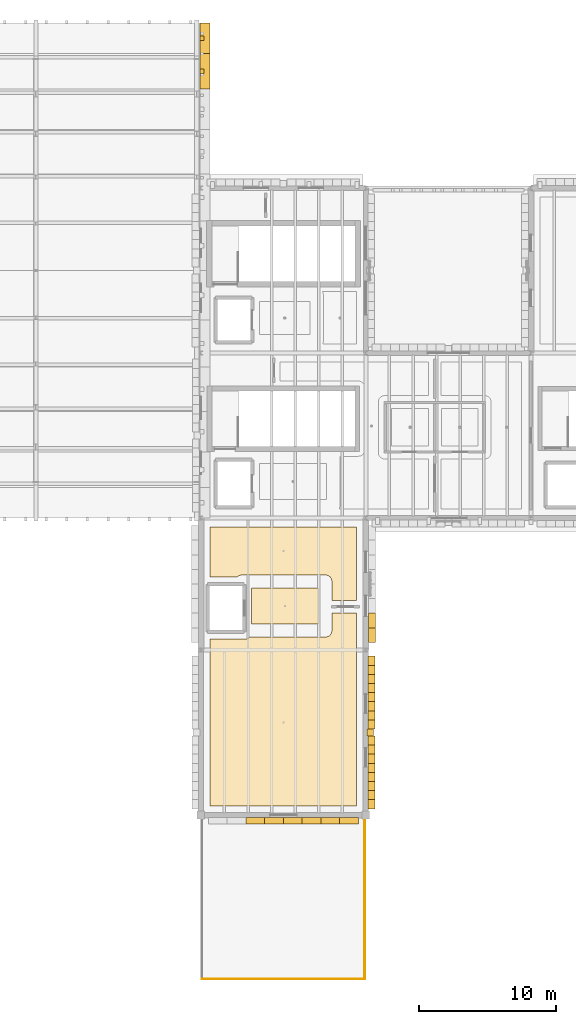
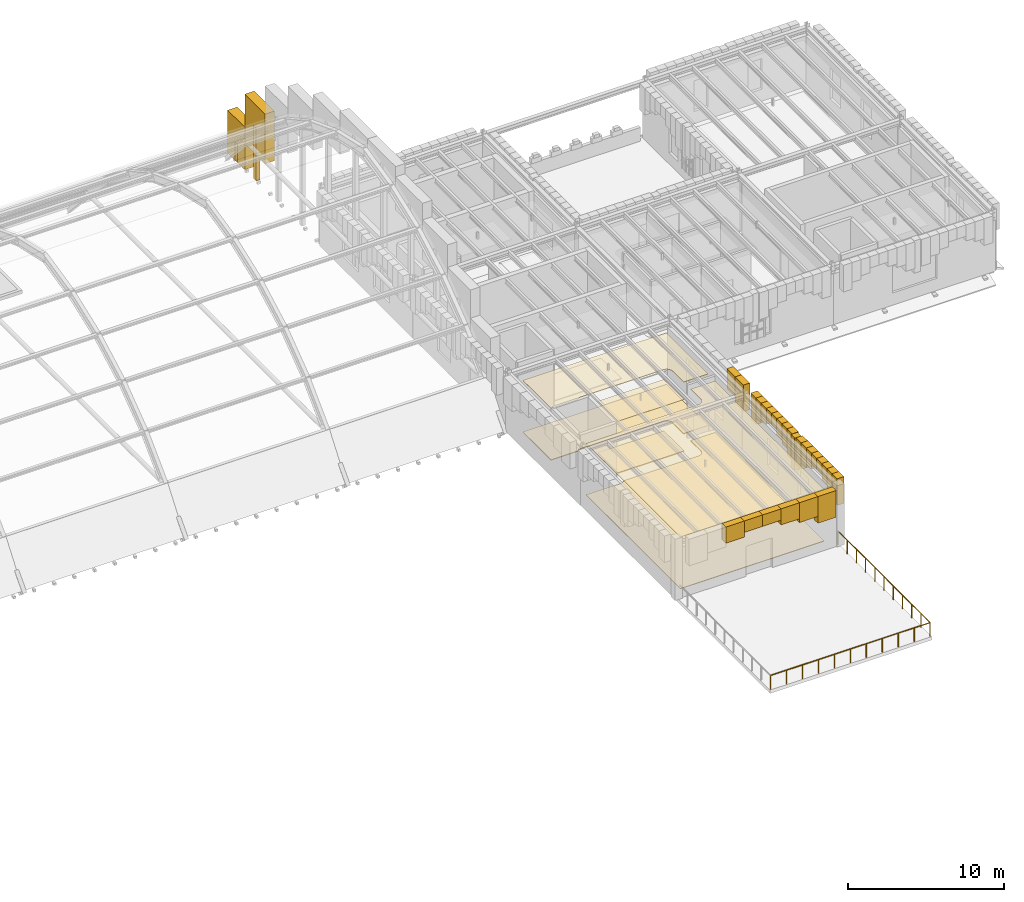
# One storey, part 30 of 35: 35 coverings, 2 railings.
"""IFC4 building model written with IfcOpenShell, lengths in metres."""

import ifcopenshell
import ifcopenshell.guid

model = None  # the IFC model being written
_history = None  # IfcOwnerHistory: only IFC2X3 demands one
_inside = {}  # id of a spatial element -> (the spatial element, [elements in it])
_under = {}  # id of a project, library or spatial element -> (it, [spatial elements below it])
_declared = {}  # id of a project -> (the project, [libraries it declares])
_typed = {}  # id of a type object -> (the type object, [elements of that type])
_made_of = {}  # id of a material, layer set ... -> (it, [elements and type objects made of it])


def new_model(schema):
    """Start an empty IFC model of exactly this schema.

    Asked for "IFC4X3", IfcOpenShell would pick the latest addendum, in which some entities
    have other attributes; the version numbers below select the first issue.
    IFC2X3 requires an IfcOwnerHistory on every rooted entity: one is made here for all.
    """
    global model, _history
    if schema == "IFC4X3":
        model = ifcopenshell.file(schema_version=(4, 3, 0, 0))
    else:
        model = ifcopenshell.file(schema=schema)
    _inside.clear()
    _under.clear()
    _declared.clear()
    _typed.clear()
    _made_of.clear()
    _history = None
    if model.schema == "IFC2X3":
        org = make("IfcOrganization", Name="unknown")
        user = make(
            "IfcPersonAndOrganization",
            ThePerson=make("IfcPerson", FamilyName="unknown"),
            TheOrganization=org,
        )
        app = make(
            "IfcApplication",
            ApplicationDeveloper=org,
            Version="unknown",
            ApplicationFullName="unknown",
            ApplicationIdentifier="unknown",
        )
        _history = make(
            "IfcOwnerHistory",
            OwningUser=user,
            OwningApplication=app,
            ChangeAction="ADDED",
            CreationDate=0,
        )
    return model


def make(cls, **values):
    """One entity of the class cls with the attributes given. An attribute that is None is left unset."""
    return model.create_entity(
        cls, **{name: value for name, value in values.items() if value is not None}
    )


def rooted(cls, **values):
    """An entity with a GlobalId (a new one), such as an element, a storey or a relation."""
    return make(cls, GlobalId=ifcopenshell.guid.new(), OwnerHistory=_history, **values)


def si_unit(unit_type, name, prefix=None):
    """IfcSIUnit, for example si_unit("LENGTHUNIT", "METRE", prefix="MILLI")."""
    return make("IfcSIUnit", UnitType=unit_type, Prefix=prefix, Name=name)


def assignment(units):
    """IfcUnitAssignment: the units of a project."""
    return None if units is None else make("IfcUnitAssignment", Units=units)


def point(xyz):
    """IfcCartesianPoint."""
    return None if xyz is None else make("IfcCartesianPoint", Coordinates=xyz)


def direction(xyz):
    """IfcDirection."""
    return None if xyz is None else make("IfcDirection", DirectionRatios=xyz)


def frame(location, z_axis=None, x_axis=None):
    """IfcAxis2Placement3D, a coordinate frame: its origin and axes. An axis left out is left unset."""
    return make(
        "IfcAxis2Placement3D",
        Location=point(location),
        Axis=direction(z_axis),
        RefDirection=direction(x_axis),
    )


def frame_2d(location, x_axis=None):
    """IfcAxis2Placement2D, a coordinate frame in the plane: its origin and x axis."""
    return make(
        "IfcAxis2Placement2D", Location=point(location), RefDirection=direction(x_axis)
    )


def origin():
    """The frame at (0, 0, 0) with its axes left unset."""
    return frame((0.0, 0.0, 0.0))


def origin_2d():
    """The frame at (0, 0) in the plane with its x axis left unset."""
    return frame_2d((0.0, 0.0))


def place(relative_to, where):
    """IfcLocalPlacement: puts the frame where relative to a parent placement (None: the world)."""
    return make(
        "IfcLocalPlacement", PlacementRelTo=relative_to, RelativePlacement=where
    )


def context(
    kind, dimensions, precision=None, world=None, true_north=None, identifier=None
):
    """IfcGeometricRepresentationContext, for example the 3D "Model" context."""
    return make(
        "IfcGeometricRepresentationContext",
        ContextIdentifier=identifier,
        ContextType=kind,
        CoordinateSpaceDimension=dimensions,
        Precision=precision,
        WorldCoordinateSystem=world,
        TrueNorth=true_north,
    )


def subcontext(parent, identifier, kind, view, scale=None):
    """IfcGeometricRepresentationSubContext, for example "Body" below "Model"."""
    return make(
        "IfcGeometricRepresentationSubContext",
        ContextIdentifier=identifier,
        ContextType=kind,
        ParentContext=parent,
        TargetScale=scale,
        TargetView=view,
    )


def project(units=None, contexts=None):
    """IfcProject with its units and contexts."""
    return rooted(
        "IfcProject",
        Name="project",
        RepresentationContexts=contexts,
        UnitsInContext=assignment(units),
    )


def spatial(cls, under=None, at=None, **own):
    """A site, building, storey or space (cls), placed at a placement, below another one or the project."""
    s = rooted(cls, ObjectPlacement=at, **own)
    if under is not None:
        _under.setdefault(under.id(), (under, []))[1].append(s)
    return s


def polyline(points):
    """IfcPolyline through the points."""
    return make("IfcPolyline", Points=[point(p) for p in points])


def profile(cls, at=None, kind="AREA", **sizes):
    """A parametric profile (cls). Its sizes go by their IFC names, for example OverallWidth=200.0."""
    return make(cls, ProfileType=kind, Position=at, **sizes)


def circle(**sizes):
    """IfcCircleProfileDef."""
    return profile("IfcCircleProfileDef", **sizes)


def outline(outer, holes=None, kind="AREA"):
    """IfcArbitraryClosedProfileDef: a profile drawn as a closed curve; with holes, ...WithVoids."""
    if holes is None:
        return make("IfcArbitraryClosedProfileDef", ProfileType=kind, OuterCurve=outer)
    return make(
        "IfcArbitraryProfileDefWithVoids",
        ProfileType=kind,
        OuterCurve=outer,
        InnerCurves=holes,
    )


def extrude(swept, where, along, depth):
    """IfcExtrudedAreaSolid: the profile swept, set in the frame where, extruded along a direction by depth."""
    return make(
        "IfcExtrudedAreaSolid",
        SweptArea=swept,
        Position=where,
        ExtrudedDirection=direction(along),
        Depth=depth,
    )


def shape(context_of_items, identifier, shape_type, items):
    """IfcShapeRepresentation: the items that make up one representation, for example the "Body"."""
    return make(
        "IfcShapeRepresentation",
        ContextOfItems=context_of_items,
        RepresentationIdentifier=identifier,
        RepresentationType=shape_type,
        Items=items,
    )


def material(Name=None, Category=None):
    """IfcMaterial."""
    return make("IfcMaterial", Name=Name, Category=Category)


def layer(
    of_material, thickness, ventilated=None, Name=None, Category=None, Priority=None
):
    """IfcMaterialLayer: one layer of a wall or slab, of a material (None: an air gap)."""
    return make(
        "IfcMaterialLayer",
        Material=of_material,
        LayerThickness=thickness,
        IsVentilated=ventilated,
        Name=Name,
        Category=Category,
        Priority=Priority,
    )


def layer_set(layers, Name=None):
    """IfcMaterialLayerSet."""
    return make("IfcMaterialLayerSet", MaterialLayers=layers, LayerSetName=Name)


def made_of(thing, what):
    """Note that an element or type object is made of a material, layer set ...; save() writes the relation."""
    if what is not None:
        _made_of.setdefault(what.id(), (what, []))[1].append(thing)
    return thing


def type_object(cls, material=None, **own):
    """A type object (cls), such as IfcWallType, which elements share."""
    return made_of(rooted(cls, **own), material)


def element(
    cls,
    number,
    at=None,
    inside=None,
    cuts=None,
    type_object=None,
    material=None,
    context=None,
    identifier="Body",
    shape_type=None,
    held_by="IfcProductDefinitionShape",
    body=None,
    shapes=None,
    **own,
):
    """One element of the class cls, such as IfcWall. Its Tag is "e" and its number.

    at: its placement. inside: the storey or other place that contains it. cuts: it is an
    opening in that element (IfcRelVoidsElement). A single representation is given by context,
    identifier, shape_type and body (its items); several are given by shapes. held_by: the class
    of the entity that holds the representations. save() writes the other relations.
    """
    e = rooted(cls, Tag="e%d" % number, ObjectPlacement=at, **own)
    if body is not None:
        shapes = [shape(context, identifier, shape_type, body)]
    if shapes is not None:
        e.Representation = make(held_by, Representations=shapes)
    if inside is not None:
        _inside.setdefault(inside.id(), (inside, []))[1].append(e)
    if cuts is not None:
        rooted(
            "IfcRelVoidsElement", RelatingBuildingElement=cuts, RelatedOpeningElement=e
        )
    if type_object is not None:
        _typed.setdefault(type_object.id(), (type_object, []))[1].append(e)
    return made_of(e, material)


def aggregate(whole, parts):
    """IfcRelAggregates: a whole, such as a stair, and the parts it consists of."""
    return rooted("IfcRelAggregates", RelatingObject=whole, RelatedObjects=parts)


def save(model, path):
    """Write the relations noted so far, then the file.

    IfcRelAggregates (storeys below a building ...), IfcRelContainedInSpatialStructure (elements
    in a storey), IfcRelDefinesByType, IfcRelAssociatesMaterial and IfcRelDeclares: one each for
    every whole, place, type object, material and project.
    """
    for whole, parts in _under.values():
        aggregate(whole, parts)
    for where, things in _inside.values():
        rooted(
            "IfcRelContainedInSpatialStructure",
            RelatedElements=things,
            RelatingStructure=where,
        )
    for kind, things in _typed.values():
        rooted("IfcRelDefinesByType", RelatedObjects=things, RelatingType=kind)
    for what, things in _made_of.values():
        rooted("IfcRelAssociatesMaterial", RelatedObjects=things, RelatingMaterial=what)
    for by, libraries in _declared.values():
        rooted("IfcRelDeclares", RelatingContext=by, RelatedDefinitions=libraries)
    model.write(path)


model = new_model("IFC4")

# Units and contexts
model_context = context("Model", 3, precision=1e-05, world=origin(), true_north=direction((0.0, 1.0)))
body_context = subcontext(model_context, "Body", "Model", "MODEL_VIEW")
ifc_project = project(units=[si_unit("LENGTHUNIT", "METRE"), si_unit("AREAUNIT", "SQUARE_METRE"), si_unit("VOLUMEUNIT", "CUBIC_METRE"), si_unit("PLANEANGLEUNIT", "RADIAN"), si_unit("MASSUNIT", "GRAM", prefix="KILO")], contexts=[model_context])

# Site, building, storey
site_placement = place(None, origin())
site = spatial("IfcSite", under=ifc_project, at=site_placement, CompositionType="ELEMENT")
building_placement = place(site_placement, origin())
building = spatial("IfcBuilding", under=site, at=building_placement, Name="Zlatogorsky Bluff Art Gallery", CompositionType="ELEMENT")
storey_placement = place(building_placement, frame((0.0, 0.0, 23.39990234375)))
storey = spatial("IfcBuildingStorey", under=building, at=storey_placement, Name="L04", CompositionType="ELEMENT", Elevation=23.39990234375)

# Coverings
ifc_material_1 = material(Name="Perforated Gypsum Acoustic Board", Category="gypsum")
ifc_layer_1 = layer(ifc_material_1, 0.0400390625)
ifc_layer_set_1 = layer_set([ifc_layer_1], Name="Acoustic Gallery Ceiling CLG-01")
covering_type_1 = type_object("IfcCoveringType", Name="Acoustic Gallery Ceiling CLG-01", PredefinedType="CEILING", material=ifc_layer_set_1)
covering_1_placement = place(storey_placement, frame((0.0, 0.0, 4.050048828125)))
element("IfcCovering", 1, at=covering_1_placement, inside=storey, type_object=covering_type_1, Name="Firefighting Lift Lobby FL-1 acoustic ceiling", PredefinedType="CEILING", context=body_context, shape_type="SweptSolid", body=[
    extrude(outline(polyline([(128.570068359375, 78.89990234375), (128.570068359375, 76.300048828125), (123.669921875, 76.300048828125), (123.669921875, 78.89990234375), (128.570068359375, 78.89990234375)])), origin(), (0.0, 0.0, 1.0), 0.0400390625),
])
covering_2_placement = place(storey_placement, frame((0.0, 0.0, 4.050048828125)))
element("IfcCovering", 2, at=covering_2_placement, inside=storey, type_object=covering_type_1, Name="Roof Garden Pavilion Salon acoustic ceiling", PredefinedType="CEILING", context=body_context, shape_type="SweptSolid", body=[
    extrude(outline(polyline([(123.219970703125, 75.199951171875), (123.26416015625, 75.2021484375), (123.307861328125, 75.20849609375), (123.3505859375, 75.219482421875), (123.39208984375, 75.234375), (123.43212890625, 75.253173828125), (123.469970703125, 75.27587890625), (123.505615234375, 75.302001953125), (123.5380859375, 75.331787109375), (123.5546875, 75.35009765625), (129.070068359375, 75.35009765625), (129.114013671875, 75.352294921875), (129.15771484375, 75.358642578125), (129.20068359375, 75.369384765625), (129.2421875, 75.38427734375), (129.281982421875, 75.403076171875), (129.320068359375, 75.42578125), (129.35546875, 75.4521484375), (129.38818359375, 75.481689453125), (129.41796875, 75.514404296875), (129.444091796875, 75.550048828125), (129.466796875, 75.587890625), (129.485595703125, 75.627685546875), (129.50048828125, 75.66943359375), (129.511474609375, 75.712158203125), (129.517822265625, 75.755859375), (129.52001953125, 75.800048828125), (129.52001953125, 77.094970703125), (131.330078125, 77.094970703125), (131.330078125, 63.070068359375), (120.669921875, 63.070068359375), (120.669921875, 75.199951171875), (123.219970703125, 75.199951171875)])), origin(), (0.0, 0.0, 1.0), 0.0400390625),
])
covering_3_placement = place(storey_placement, frame((0.0, 0.0, 4.050048828125)))
element("IfcCovering", 3, at=covering_3_placement, inside=storey, type_object=covering_type_1, Name="Roof Garden Pavilion Salon acoustic ceiling", PredefinedType="CEILING", context=body_context, shape_type="SweptSolid", body=[
    extrude(outline(polyline([(120.669921875, 83.330078125), (131.330078125, 83.330078125), (131.330078125, 77.9951171875), (129.52001953125, 77.9951171875), (129.52001953125, 79.39990234375), (129.517822265625, 79.444091796875), (129.511474609375, 79.48779296875), (129.50048828125, 79.530517578125), (129.485595703125, 79.572265625), (129.466796875, 79.612060546875), (129.444091796875, 79.64990234375), (129.41796875, 79.685546875), (129.38818359375, 79.71826171875), (129.35546875, 79.747802734375), (129.320068359375, 79.774169921875), (129.281982421875, 79.796875), (129.2421875, 79.815673828125), (129.20068359375, 79.83056640625), (129.15771484375, 79.84130859375), (129.114013671875, 79.847900390625), (129.070068359375, 79.85009765625), (122.969970703125, 79.85009765625), (122.92578125, 79.847900390625), (122.882080078125, 79.84130859375), (122.83935546875, 79.83056640625), (122.7978515625, 79.815673828125), (122.7578125, 79.796875), (122.719970703125, 79.774169921875), (122.6845703125, 79.747802734375), (122.65185546875, 79.71826171875), (122.63525390625, 79.699951171875), (120.669921875, 79.699951171875), (120.669921875, 83.330078125)])), origin(), (0.0, 0.0, 1.0), 0.0400390625),
])
ifc_material_2 = material(Name="Honed Red Agra-Tone Quartzitic Sandstone", Category="masonry")
ifc_layer_2 = layer(ifc_material_2, 0.1201171875)
ifc_layer_set_2 = layer_set([ifc_layer_2], Name="Carved Sandstone Cladding CLD-02")
covering_type_2 = type_object("IfcCoveringType", Name="Carved Sandstone Cladding CLD-02", PredefinedType="CLADDING", material=ifc_layer_set_2)
covering_4_placement = place(storey_placement, frame((0.0, 0.0, 3.496826171875)))
element("IfcCovering", 4, at=covering_4_placement, inside=storey, type_object=covering_type_2, Name="Pointed Mughal arch voussoir spandrel WARCH-L04-S-10-06-A.3", PredefinedType="CLADDING", context=body_context, shape_type="SweptSolid", body=[
    extrude(outline(polyline([(123.27490234375, 61.739990234375), (124.637451171875, 61.739990234375), (124.637451171875, 62.22998046875), (123.27490234375, 62.22998046875), (123.27490234375, 61.739990234375)])), origin(), (0.0, 0.0, 1.0), 1.26318359375),
])
covering_5_placement = place(storey_placement, frame((0.0, 0.0, 3.865478515625)))
element("IfcCovering", 5, at=covering_5_placement, inside=storey, type_object=covering_type_2, Name="Pointed Mughal arch voussoir spandrel WARCH-L04-S-10-06-A.4", PredefinedType="CLADDING", context=body_context, shape_type="SweptSolid", body=[
    extrude(outline(polyline([(124.637451171875, 61.739990234375), (126.0, 61.739990234375), (126.0, 62.22998046875), (124.637451171875, 62.22998046875), (124.637451171875, 61.739990234375)])), origin(), (0.0, 0.0, 1.0), 0.89453125),
])
covering_6_placement = place(storey_placement, frame((0.0, 0.0, 3.865478515625)))
element("IfcCovering", 6, at=covering_6_placement, inside=storey, type_object=covering_type_2, Name="Pointed Mughal arch voussoir spandrel WARCH-L04-S-10-06-A.5", PredefinedType="CLADDING", context=body_context, shape_type="SweptSolid", body=[
    extrude(outline(polyline([(126.0, 61.739990234375), (127.362548828125, 61.739990234375), (127.362548828125, 62.22998046875), (126.0, 62.22998046875), (126.0, 61.739990234375)])), origin(), (0.0, 0.0, 1.0), 0.89453125),
])
covering_7_placement = place(storey_placement, frame((0.0, 0.0, 3.496826171875)))
element("IfcCovering", 7, at=covering_7_placement, inside=storey, type_object=covering_type_2, Name="Pointed Mughal arch voussoir spandrel WARCH-L04-S-10-06-A.6", PredefinedType="CLADDING", context=body_context, shape_type="SweptSolid", body=[
    extrude(outline(polyline([(127.362548828125, 61.739990234375), (128.72509765625, 61.739990234375), (128.72509765625, 62.22998046875), (127.362548828125, 62.22998046875), (127.362548828125, 61.739990234375)])), origin(), (0.0, 0.0, 1.0), 1.26318359375),
])
covering_8_placement = place(storey_placement, frame((0.0, 0.0, 3.203857421875)))
element("IfcCovering", 8, at=covering_8_placement, inside=storey, type_object=covering_type_2, Name="Pointed Mughal arch voussoir spandrel WARCH-L04-S-10-06-A.7", PredefinedType="CLADDING", context=body_context, shape_type="SweptSolid", body=[
    extrude(outline(polyline([(128.72509765625, 61.739990234375), (130.08740234375, 61.739990234375), (130.08740234375, 62.22998046875), (128.72509765625, 62.22998046875), (128.72509765625, 61.739990234375)])), origin(), (0.0, 0.0, 1.0), 1.55615234375),
])
covering_9_placement = place(storey_placement, frame((0.0, 0.0, 2.672607421875)))
element("IfcCovering", 9, at=covering_9_placement, inside=storey, type_object=covering_type_2, Name="Pointed Mughal arch voussoir spandrel WARCH-L04-S-10-06-A.8", PredefinedType="CLADDING", context=body_context, shape_type="SweptSolid", body=[
    extrude(outline(polyline([(130.08740234375, 61.739990234375), (131.449951171875, 61.739990234375), (131.449951171875, 62.22998046875), (130.08740234375, 62.22998046875), (130.08740234375, 61.739990234375)])), origin(), (0.0, 0.0, 1.0), 2.08740234375),
])
covering_10_placement = place(storey_placement, frame((0.0, 0.0, 2.22998046875)))
element("IfcCovering", 10, at=covering_10_placement, inside=storey, type_object=covering_type_2, Name="Mughal blind-arch sandstone pilaster L04.E.10.6", PredefinedType="CLADDING", context=body_context, shape_type="SweptSolid", body=[
    extrude(outline(polyline([(132.080078125, 68.159912109375), (132.56005859375, 68.159912109375), (132.56005859375, 68.639892578125), (132.080078125, 68.639892578125), (132.080078125, 68.159912109375)])), origin(), (0.0, 0.0, 1.0), 2.530029296875),
])
covering_11_placement = place(storey_placement, frame((0.0, 0.0, 2.672607421875)))
element("IfcCovering", 11, at=covering_11_placement, inside=storey, type_object=covering_type_2, Name="Pointed Mughal arch voussoir spandrel WARCH-L04-E-10-06-A.1", PredefinedType="CLADDING", context=body_context, shape_type="SweptSolid", body=[
    extrude(outline(polyline([(132.169921875, 62.85009765625), (132.169921875, 63.512451171875), (132.659912109375, 63.512451171875), (132.659912109375, 62.85009765625), (132.169921875, 62.85009765625)])), origin(), (0.0, 0.0, 1.0), 2.08740234375),
])
covering_12_placement = place(storey_placement, frame((0.0, 0.0, 3.203857421875)))
element("IfcCovering", 12, at=covering_12_placement, inside=storey, type_object=covering_type_2, Name="Pointed Mughal arch voussoir spandrel WARCH-L04-E-10-06-A.2", PredefinedType="CLADDING", context=body_context, shape_type="SweptSolid", body=[
    extrude(outline(polyline([(132.169921875, 63.512451171875), (132.169921875, 64.175048828125), (132.659912109375, 64.175048828125), (132.659912109375, 63.512451171875), (132.169921875, 63.512451171875)])), origin(), (0.0, 0.0, 1.0), 1.55615234375),
])
covering_13_placement = place(storey_placement, frame((0.0, 0.0, 3.496826171875)))
element("IfcCovering", 13, at=covering_13_placement, inside=storey, type_object=covering_type_2, Name="Pointed Mughal arch voussoir spandrel WARCH-L04-E-10-06-A.3", PredefinedType="CLADDING", context=body_context, shape_type="SweptSolid", body=[
    extrude(outline(polyline([(132.169921875, 64.175048828125), (132.169921875, 64.83740234375), (132.659912109375, 64.83740234375), (132.659912109375, 64.175048828125), (132.169921875, 64.175048828125)])), origin(), (0.0, 0.0, 1.0), 1.26318359375),
])
covering_14_placement = place(storey_placement, frame((0.0, 0.0, 3.865478515625)))
element("IfcCovering", 14, at=covering_14_placement, inside=storey, type_object=covering_type_2, Name="Pointed Mughal arch voussoir spandrel WARCH-L04-E-10-06-A.4", PredefinedType="CLADDING", context=body_context, shape_type="SweptSolid", body=[
    extrude(outline(polyline([(132.169921875, 64.83740234375), (132.169921875, 65.5), (132.659912109375, 65.5), (132.659912109375, 64.83740234375), (132.169921875, 64.83740234375)])), origin(), (0.0, 0.0, 1.0), 0.89453125),
])
covering_15_placement = place(storey_placement, frame((0.0, 0.0, 3.865478515625)))
element("IfcCovering", 15, at=covering_15_placement, inside=storey, type_object=covering_type_2, Name="Pointed Mughal arch voussoir spandrel WARCH-L04-E-10-06-A.5", PredefinedType="CLADDING", context=body_context, shape_type="SweptSolid", body=[
    extrude(outline(polyline([(132.169921875, 65.5), (132.169921875, 66.16259765625), (132.659912109375, 66.16259765625), (132.659912109375, 65.5), (132.169921875, 65.5)])), origin(), (0.0, 0.0, 1.0), 0.89453125),
])
covering_16_placement = place(storey_placement, frame((0.0, 0.0, 3.496826171875)))
element("IfcCovering", 16, at=covering_16_placement, inside=storey, type_object=covering_type_2, Name="Pointed Mughal arch voussoir spandrel WARCH-L04-E-10-06-A.6", PredefinedType="CLADDING", context=body_context, shape_type="SweptSolid", body=[
    extrude(outline(polyline([(132.169921875, 66.16259765625), (132.169921875, 66.824951171875), (132.659912109375, 66.824951171875), (132.659912109375, 66.16259765625), (132.169921875, 66.16259765625)])), origin(), (0.0, 0.0, 1.0), 1.26318359375),
])
covering_17_placement = place(storey_placement, frame((0.0, 0.0, 3.203857421875)))
element("IfcCovering", 17, at=covering_17_placement, inside=storey, type_object=covering_type_2, Name="Pointed Mughal arch voussoir spandrel WARCH-L04-E-10-06-A.7", PredefinedType="CLADDING", context=body_context, shape_type="SweptSolid", body=[
    extrude(outline(polyline([(132.169921875, 66.824951171875), (132.169921875, 67.487548828125), (132.659912109375, 67.487548828125), (132.659912109375, 66.824951171875), (132.169921875, 66.824951171875)])), origin(), (0.0, 0.0, 1.0), 1.55615234375),
])
covering_18_placement = place(storey_placement, frame((0.0, 0.0, 2.672607421875)))
element("IfcCovering", 18, at=covering_18_placement, inside=storey, type_object=covering_type_2, Name="Pointed Mughal arch voussoir spandrel WARCH-L04-E-10-06-A.8", PredefinedType="CLADDING", context=body_context, shape_type="SweptSolid", body=[
    extrude(outline(polyline([(132.169921875, 67.487548828125), (132.169921875, 68.14990234375), (132.659912109375, 68.14990234375), (132.659912109375, 67.487548828125), (132.169921875, 67.487548828125)])), origin(), (0.0, 0.0, 1.0), 2.08740234375),
])
covering_19_placement = place(storey_placement, frame((0.0, 0.0, 2.672607421875)))
element("IfcCovering", 19, at=covering_19_placement, inside=storey, type_object=covering_type_2, Name="Pointed Mughal arch voussoir spandrel WARCH-L04-E-10-06-B.1", PredefinedType="CLADDING", context=body_context, shape_type="SweptSolid", body=[
    extrude(outline(polyline([(132.169921875, 68.64990234375), (132.169921875, 69.3125), (132.659912109375, 69.3125), (132.659912109375, 68.64990234375), (132.169921875, 68.64990234375)])), origin(), (0.0, 0.0, 1.0), 2.08740234375),
])
covering_20_placement = place(storey_placement, frame((0.0, 0.0, 3.203857421875)))
element("IfcCovering", 20, at=covering_20_placement, inside=storey, type_object=covering_type_2, Name="Pointed Mughal arch voussoir spandrel WARCH-L04-E-10-06-B.2", PredefinedType="CLADDING", context=body_context, shape_type="SweptSolid", body=[
    extrude(outline(polyline([(132.169921875, 69.3125), (132.169921875, 69.97509765625), (132.659912109375, 69.97509765625), (132.659912109375, 69.3125), (132.169921875, 69.3125)])), origin(), (0.0, 0.0, 1.0), 1.55615234375),
])
covering_21_placement = place(storey_placement, frame((0.0, 0.0, 3.496826171875)))
element("IfcCovering", 21, at=covering_21_placement, inside=storey, type_object=covering_type_2, Name="Pointed Mughal arch voussoir spandrel WARCH-L04-E-10-06-B.3", PredefinedType="CLADDING", context=body_context, shape_type="SweptSolid", body=[
    extrude(outline(polyline([(132.169921875, 69.97509765625), (132.169921875, 70.637451171875), (132.659912109375, 70.637451171875), (132.659912109375, 69.97509765625), (132.169921875, 69.97509765625)])), origin(), (0.0, 0.0, 1.0), 1.26318359375),
])
covering_22_placement = place(storey_placement, frame((0.0, 0.0, 3.865478515625)))
element("IfcCovering", 22, at=covering_22_placement, inside=storey, type_object=covering_type_2, Name="Pointed Mughal arch voussoir spandrel WARCH-L04-E-10-06-B.4", PredefinedType="CLADDING", context=body_context, shape_type="SweptSolid", body=[
    extrude(outline(polyline([(132.169921875, 70.637451171875), (132.169921875, 71.300048828125), (132.659912109375, 71.300048828125), (132.659912109375, 70.637451171875), (132.169921875, 70.637451171875)])), origin(), (0.0, 0.0, 1.0), 0.89453125),
])
covering_23_placement = place(storey_placement, frame((0.0, 0.0, 3.865478515625)))
element("IfcCovering", 23, at=covering_23_placement, inside=storey, type_object=covering_type_2, Name="Pointed Mughal arch voussoir spandrel WARCH-L04-E-10-06-B.5", PredefinedType="CLADDING", context=body_context, shape_type="SweptSolid", body=[
    extrude(outline(polyline([(132.169921875, 71.300048828125), (132.169921875, 71.96240234375), (132.659912109375, 71.96240234375), (132.659912109375, 71.300048828125), (132.169921875, 71.300048828125)])), origin(), (0.0, 0.0, 1.0), 0.89453125),
])
covering_24_placement = place(storey_placement, frame((0.0, 0.0, 3.496826171875)))
element("IfcCovering", 24, at=covering_24_placement, inside=storey, type_object=covering_type_2, Name="Pointed Mughal arch voussoir spandrel WARCH-L04-E-10-06-B.6", PredefinedType="CLADDING", context=body_context, shape_type="SweptSolid", body=[
    extrude(outline(polyline([(132.169921875, 71.96240234375), (132.169921875, 72.625), (132.659912109375, 72.625), (132.659912109375, 71.96240234375), (132.169921875, 71.96240234375)])), origin(), (0.0, 0.0, 1.0), 1.26318359375),
])
covering_25_placement = place(storey_placement, frame((0.0, 0.0, 3.203857421875)))
element("IfcCovering", 25, at=covering_25_placement, inside=storey, type_object=covering_type_2, Name="Pointed Mughal arch voussoir spandrel WARCH-L04-E-10-06-B.7", PredefinedType="CLADDING", context=body_context, shape_type="SweptSolid", body=[
    extrude(outline(polyline([(132.169921875, 72.625), (132.169921875, 73.28759765625), (132.659912109375, 73.28759765625), (132.659912109375, 72.625), (132.169921875, 72.625)])), origin(), (0.0, 0.0, 1.0), 1.55615234375),
])
covering_26_placement = place(storey_placement, frame((0.0, 0.0, 2.672607421875)))
element("IfcCovering", 26, at=covering_26_placement, inside=storey, type_object=covering_type_2, Name="Pointed Mughal arch voussoir spandrel WARCH-L04-E-10-06-B.8", PredefinedType="CLADDING", context=body_context, shape_type="SweptSolid", body=[
    extrude(outline(polyline([(132.169921875, 73.28759765625), (132.169921875, 73.949951171875), (132.659912109375, 73.949951171875), (132.659912109375, 73.28759765625), (132.169921875, 73.28759765625)])), origin(), (0.0, 0.0, 1.0), 2.08740234375),
])
covering_27_placement = place(storey_placement, frame((0.0, 0.0, 2.672607421875)))
element("IfcCovering", 27, at=covering_27_placement, inside=storey, type_object=covering_type_2, Name="Pointed Mughal arch voussoir spandrel WARCH-L04-E-10-07-A.1", PredefinedType="CLADDING", context=body_context, shape_type="SweptSolid", body=[
    extrude(outline(polyline([(132.18994140625, 74.949951171875), (132.18994140625, 76.012451171875), (132.679931640625, 76.012451171875), (132.679931640625, 74.949951171875), (132.18994140625, 74.949951171875)])), origin(), (0.0, 0.0, 1.0), 2.08740234375),
])
covering_28_placement = place(storey_placement, frame((0.0, 0.0, 3.203857421875)))
element("IfcCovering", 28, at=covering_28_placement, inside=storey, type_object=covering_type_2, Name="Pointed Mughal arch voussoir spandrel WARCH-L04-E-10-07-A.2", PredefinedType="CLADDING", context=body_context, shape_type="SweptSolid", body=[
    extrude(outline(polyline([(132.18994140625, 76.012451171875), (132.18994140625, 77.074951171875), (132.679931640625, 77.074951171875), (132.679931640625, 76.012451171875), (132.18994140625, 76.012451171875)])), origin(), (0.0, 0.0, 1.0), 1.55615234375),
])
covering_29_placement = place(storey_placement, frame((0.0, 0.0, 1.98779296875)))
element("IfcCovering", 29, at=covering_29_placement, inside=storey, type_object=covering_type_2, Name="Barrel vault Mughal pointed gable archivolt EAST.11", PredefinedType="CLADDING", context=body_context, shape_type="SweptSolid", body=[
    extrude(outline(polyline([(119.949951171875, 115.190673828125), (120.64990234375, 115.190673828125), (120.64990234375, 117.79150390625), (119.949951171875, 117.79150390625), (119.949951171875, 115.190673828125)])), origin(), (0.0, 0.0, 1.0), 3.897216796875),
])
covering_30_placement = place(storey_placement, frame((0.0, 0.0, -0.0498046875)))
element("IfcCovering", 30, at=covering_30_placement, inside=storey, type_object=covering_type_2, Name="Barrel vault Mughal pointed gable archivolt EAST.12", PredefinedType="CLADDING", context=body_context, shape_type="SweptSolid", body=[
    extrude(outline(polyline([(119.949951171875, 117.79150390625), (120.64990234375, 117.79150390625), (120.64990234375, 120.0), (119.949951171875, 120.0), (119.949951171875, 117.79150390625)])), origin(), (0.0, 0.0, 1.0), 3.337646484375),
])

# Railings
ifc_material_3 = material(Name="Architectural Bronze and Laminated Glass", Category="glass")
railing_type = type_object("IfcRailingType", Name="Gallery Guard Rail 1100mm", PredefinedType="GUARDRAIL", material=ifc_material_3)
railing_1_placement = place(storey_placement, frame((131.919921875, 62.320068359375, 0.0)))
element("IfcRailing", 31, at=railing_1_placement, inside=storey, type_object=railing_type, Name="Sculpture terrace balustrade TERR-L04-01.3", PredefinedType="GUARDRAIL", context=body_context, shape_type="SweptSolid", body=[
    extrude(circle(Radius=0.02392578125, at=origin_2d()), frame((0.0, 0.0, 1.076171875), z_axis=(0.0, -1.0, 0.0), x_axis=(1.0, 0.0, 0.0)), (0.0, 0.0, 1.0), 11.840087890625),
    extrude(circle(Radius=0.02099609375, at=origin_2d()), origin(), (0.0, 0.0, 1.0), 1.052001953125),
    extrude(circle(Radius=0.02099609375, at=origin_2d()), frame((0.0, -1.18408203125, 0.0)), (0.0, 0.0, 1.0), 1.052001953125),
    extrude(circle(Radius=0.02099609375, at=origin_2d()), frame((0.0, -2.367919921875, 0.0)), (0.0, 0.0, 1.0), 1.052001953125),
    extrude(circle(Radius=0.02099609375, at=origin_2d()), frame((0.0, -3.552001953125, 0.0)), (0.0, 0.0, 1.0), 1.052001953125),
    extrude(circle(Radius=0.02099609375, at=origin_2d()), frame((0.0, -4.736083984375, 0.0)), (0.0, 0.0, 1.0), 1.052001953125),
    extrude(circle(Radius=0.02099609375, at=origin_2d()), frame((0.0, -5.919921875, 0.0)), (0.0, 0.0, 1.0), 1.052001953125),
    extrude(circle(Radius=0.02099609375, at=origin_2d()), frame((0.0, -7.10400390625, 0.0)), (0.0, 0.0, 1.0), 1.052001953125),
    extrude(circle(Radius=0.02099609375, at=origin_2d()), frame((0.0, -8.2880859375, 0.0)), (0.0, 0.0, 1.0), 1.052001953125),
    extrude(circle(Radius=0.02099609375, at=origin_2d()), frame((0.0, -9.47216796875, 0.0)), (0.0, 0.0, 1.0), 1.052001953125),
    extrude(circle(Radius=0.02099609375, at=origin_2d()), frame((0.0, -10.656005859375, 0.0)), (0.0, 0.0, 1.0), 1.052001953125),
    extrude(circle(Radius=0.02099609375, at=origin_2d()), frame((0.0, -11.840087890625, 0.0)), (0.0, 0.0, 1.0), 1.052001953125),
])
railing_2_placement = place(storey_placement, frame((131.919921875, 50.47998046875, 0.0)))
element("IfcRailing", 32, at=railing_2_placement, inside=storey, type_object=railing_type, Name="Sculpture terrace balustrade TERR-L04-01.4", PredefinedType="GUARDRAIL", context=body_context, shape_type="SweptSolid", body=[
    extrude(circle(Radius=0.02392578125, at=origin_2d()), frame((0.0, 0.0, 1.076171875), z_axis=(-1.0, 0.0, 0.0), x_axis=(0.0, -1.0, 0.0)), (0.0, 0.0, 1.0), 11.83984375),
    extrude(circle(Radius=0.02099609375, at=origin_2d()), origin(), (0.0, 0.0, 1.0), 1.052001953125),
    extrude(circle(Radius=0.02099609375, at=origin_2d()), frame((-1.18408203125, 0.0, 0.0)), (0.0, 0.0, 1.0), 1.052001953125),
    extrude(circle(Radius=0.02099609375, at=origin_2d()), frame((-2.367919921875, 0.0, 0.0)), (0.0, 0.0, 1.0), 1.052001953125),
    extrude(circle(Radius=0.02099609375, at=origin_2d()), frame((-3.552001953125, 0.0, 0.0)), (0.0, 0.0, 1.0), 1.052001953125),
    extrude(circle(Radius=0.02099609375, at=origin_2d()), frame((-4.73583984375, 0.0, 0.0)), (0.0, 0.0, 1.0), 1.052001953125),
    extrude(circle(Radius=0.02099609375, at=origin_2d()), frame((-5.919921875, 0.0, 0.0)), (0.0, 0.0, 1.0), 1.052001953125),
    extrude(circle(Radius=0.02099609375, at=origin_2d()), frame((-7.10400390625, 0.0, 0.0)), (0.0, 0.0, 1.0), 1.052001953125),
    extrude(circle(Radius=0.02099609375, at=origin_2d()), frame((-8.287841796875, 0.0, 0.0)), (0.0, 0.0, 1.0), 1.052001953125),
    extrude(circle(Radius=0.02099609375, at=origin_2d()), frame((-9.471923828125, 0.0, 0.0)), (0.0, 0.0, 1.0), 1.052001953125),
    extrude(circle(Radius=0.02099609375, at=origin_2d()), frame((-10.65576171875, 0.0, 0.0)), (0.0, 0.0, 1.0), 1.052001953125),
    extrude(circle(Radius=0.02099609375, at=origin_2d()), frame((-11.83984375, 0.0, 0.0)), (0.0, 0.0, 1.0), 1.052001953125),
])

# Coverings
ifc_material_4 = material(Name="Polished Ural Marble Terrazzo", Category="masonry")
ifc_layer_3 = layer(ifc_material_4, 0.050048828125)
ifc_layer_set_3 = layer_set([ifc_layer_3], Name="Terrazzo Gallery Flooring FLR-01")
covering_type_3 = type_object("IfcCoveringType", Name="Terrazzo Gallery Flooring FLR-01", PredefinedType="FLOORING", material=ifc_layer_set_3)
covering_31_placement = place(storey_placement, origin())
element("IfcCovering", 33, at=covering_31_placement, inside=storey, type_object=covering_type_3, Name="Firefighting Lift Lobby FL-1 terrazzo floor finish", PredefinedType="FLOORING", context=body_context, shape_type="SweptSolid", body=[
    extrude(outline(polyline([(128.570068359375, 78.89990234375), (128.570068359375, 76.300048828125), (123.669921875, 76.300048828125), (123.669921875, 78.89990234375), (128.570068359375, 78.89990234375)])), origin(), (0.0, 0.0, 1.0), 0.050048828125),
])
covering_32_placement = place(storey_placement, origin())
element("IfcCovering", 34, at=covering_32_placement, inside=storey, type_object=covering_type_3, Name="Roof Garden Pavilion Salon terrazzo floor finish", PredefinedType="FLOORING", context=body_context, shape_type="SweptSolid", body=[
    extrude(outline(polyline([(123.219970703125, 75.199951171875), (123.26416015625, 75.2021484375), (123.307861328125, 75.20849609375), (123.3505859375, 75.219482421875), (123.39208984375, 75.234375), (123.43212890625, 75.253173828125), (123.469970703125, 75.27587890625), (123.505615234375, 75.302001953125), (123.5380859375, 75.331787109375), (123.5546875, 75.35009765625), (129.070068359375, 75.35009765625), (129.114013671875, 75.352294921875), (129.15771484375, 75.358642578125), (129.20068359375, 75.369384765625), (129.2421875, 75.38427734375), (129.281982421875, 75.403076171875), (129.320068359375, 75.42578125), (129.35546875, 75.4521484375), (129.38818359375, 75.481689453125), (129.41796875, 75.514404296875), (129.444091796875, 75.550048828125), (129.466796875, 75.587890625), (129.485595703125, 75.627685546875), (129.50048828125, 75.66943359375), (129.511474609375, 75.712158203125), (129.517822265625, 75.755859375), (129.52001953125, 75.800048828125), (129.52001953125, 77.094970703125), (131.330078125, 77.094970703125), (131.330078125, 63.070068359375), (120.669921875, 63.070068359375), (120.669921875, 75.199951171875), (123.219970703125, 75.199951171875)])), origin(), (0.0, 0.0, 1.0), 0.050048828125),
])
covering_33_placement = place(storey_placement, origin())
element("IfcCovering", 35, at=covering_33_placement, inside=storey, type_object=covering_type_3, Name="Roof Garden Pavilion Salon terrazzo floor finish", PredefinedType="FLOORING", context=body_context, shape_type="SweptSolid", body=[
    extrude(outline(polyline([(120.669921875, 83.330078125), (131.330078125, 83.330078125), (131.330078125, 77.9951171875), (129.52001953125, 77.9951171875), (129.52001953125, 79.39990234375), (129.517822265625, 79.444091796875), (129.511474609375, 79.48779296875), (129.50048828125, 79.530517578125), (129.485595703125, 79.572265625), (129.466796875, 79.612060546875), (129.444091796875, 79.64990234375), (129.41796875, 79.685546875), (129.38818359375, 79.71826171875), (129.35546875, 79.747802734375), (129.320068359375, 79.774169921875), (129.281982421875, 79.796875), (129.2421875, 79.815673828125), (129.20068359375, 79.83056640625), (129.15771484375, 79.84130859375), (129.114013671875, 79.847900390625), (129.070068359375, 79.85009765625), (122.969970703125, 79.85009765625), (122.92578125, 79.847900390625), (122.882080078125, 79.84130859375), (122.83935546875, 79.83056640625), (122.7978515625, 79.815673828125), (122.7578125, 79.796875), (122.719970703125, 79.774169921875), (122.6845703125, 79.747802734375), (122.65185546875, 79.71826171875), (122.63525390625, 79.699951171875), (120.669921875, 79.699951171875), (120.669921875, 83.330078125)])), origin(), (0.0, 0.0, 1.0), 0.050048828125),
])
ifc_material_5 = material(Name="Patinated Architectural Bronze Fin", Category="metal")
ifc_layer_4 = layer(ifc_material_5, 0.110107421875)
ifc_layer_set_4 = layer_set([ifc_layer_4], Name="Vertical Gallery Fin FIN-01")
covering_type_4 = type_object("IfcCoveringType", Name="Vertical Gallery Fin FIN-01", PredefinedType="CLADDING", material=ifc_layer_set_4)
covering_34_placement = place(storey_placement, frame((0.0, 0.0, -0.039794921875)))
element("IfcCovering", 36, at=covering_34_placement, inside=storey, type_object=covering_type_4, Name="Barrel vault gable tympanum bronze mullion EAST.11", PredefinedType="CLADDING", context=body_context, shape_type="SweptSolid", body=[
    extrude(outline(polyline([(119.949951171875, 116.3310546875), (120.239990234375, 116.3310546875), (120.239990234375, 116.65087890625), (119.949951171875, 116.65087890625), (119.949951171875, 116.3310546875)])), origin(), (0.0, 0.0, 1.0), 4.17626953125),
])
covering_35_placement = place(storey_placement, frame((0.0, 0.0, -0.039794921875)))
element("IfcCovering", 37, at=covering_35_placement, inside=storey, type_object=covering_type_4, Name="Barrel vault gable tympanum bronze mullion EAST.12", PredefinedType="CLADDING", context=body_context, shape_type="SweptSolid", body=[
    extrude(outline(polyline([(119.949951171875, 118.735595703125), (120.239990234375, 118.735595703125), (120.239990234375, 119.0556640625), (119.949951171875, 119.0556640625), (119.949951171875, 118.735595703125)])), origin(), (0.0, 0.0, 1.0), 1.40869140625),
])

save(model, "model.ifc")
